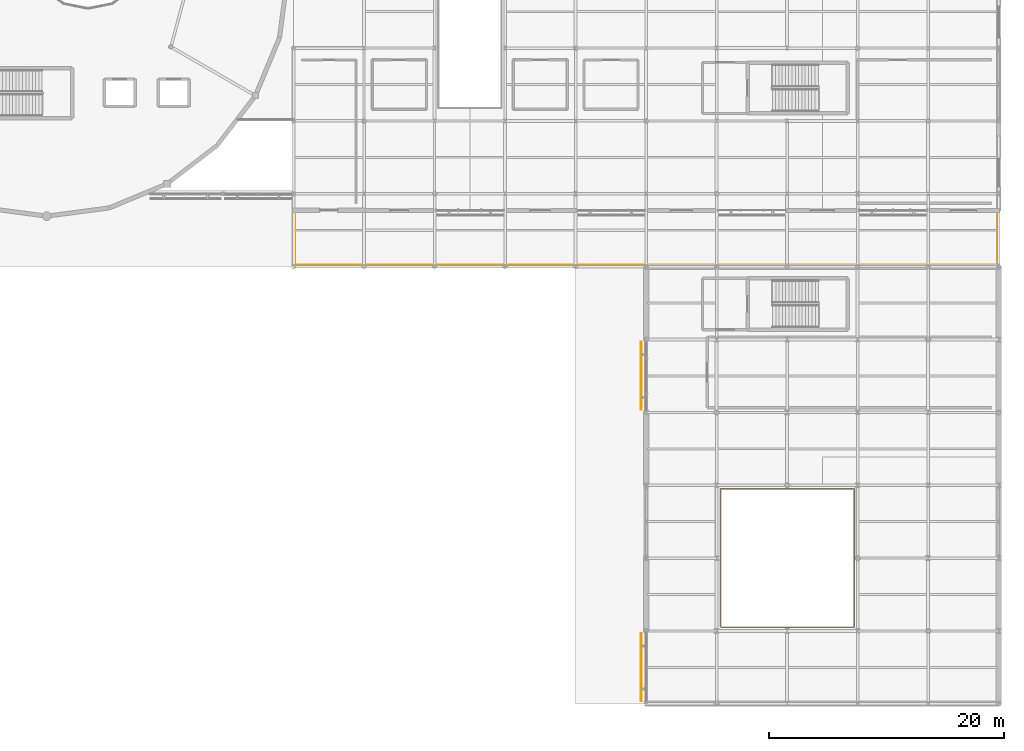
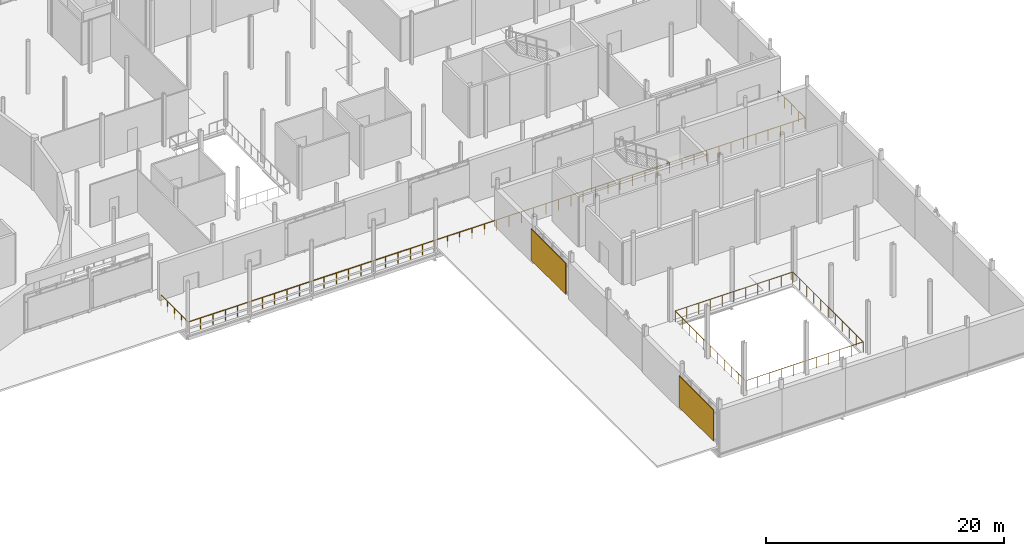
# One storey, part 101 of 105: 2 railings, 2 shading devices.
"""IFC4 building model written with IfcOpenShell, lengths in metres."""

from ifc_helpers import new_model, si_unit, direction, frame, origin, origin_2d, place, context, subcontext, project, spatial, rectangle, circle, extrude, material, layer, layer_set, type_object, element, save


model = new_model("IFC4")

# Units and contexts
model_context = context("Model", 3, precision=1e-05, world=origin(), true_north=direction((0.0, 1.0)))
body_context = subcontext(model_context, "Body", "Model", "MODEL_VIEW")
ifc_project = project(units=[si_unit("LENGTHUNIT", "METRE"), si_unit("AREAUNIT", "SQUARE_METRE"), si_unit("VOLUMEUNIT", "CUBIC_METRE"), si_unit("PLANEANGLEUNIT", "RADIAN"), si_unit("MASSUNIT", "GRAM", prefix="KILO")], contexts=[model_context])

# Site, building, storey
site_placement = place(None, origin())
site = spatial("IfcSite", under=ifc_project, at=site_placement, CompositionType="ELEMENT")
building_placement = place(site_placement, origin())
building = spatial("IfcBuilding", under=site, at=building_placement, Name="Mirzam Square Science Centre", CompositionType="ELEMENT")
storey_placement = place(building_placement, frame((0.0, 0.0, 5.39990234375)))
storey = spatial("IfcBuildingStorey", under=building, at=storey_placement, Name="L01", CompositionType="ELEMENT", Elevation=5.39990234375)

# Railings
ifc_material_1 = material(Name="Bronze-Anodised Architectural Balustrade", Category="aluminium")
railing_type_1 = type_object("IfcRailingType", Name="RL-INT-GUARD-1100", PredefinedType="GUARDRAIL", material=ifc_material_1)
railing_1_placement = place(storey_placement, frame((138.300048828125, 6.580078125, 0.0)))
element("IfcRailing", 1, at=railing_1_placement, inside=storey, type_object=railing_type_1, Name="L01 theatre-void edge guard", PredefinedType="GUARDRAIL", context=body_context, shape_type="SweptSolid", body=[
    extrude(circle(Radius=0.02392578125, at=origin_2d()), frame((0.0, 0.0, 1.09619140625), z_axis=(0.0, 1.0, 0.0), x_axis=(-1.0, 0.0, 0.0)), (0.0, 0.0, 1.0), 11.719970703125),
    extrude(circle(Radius=0.02392578125, at=origin_2d()), frame((0.0, 11.719970703125, 1.09619140625), z_axis=(1.0, 0.0, 0.0), x_axis=(0.0, 1.0, 0.0)), (0.0, 0.0, 1.0), 11.39990234375),
    extrude(circle(Radius=0.02392578125, at=origin_2d()), frame((11.39990234375, 11.719970703125, 1.09619140625), z_axis=(0.0, -1.0, 0.0), x_axis=(1.0, 0.0, 0.0)), (0.0, 0.0, 1.0), 11.800048828125),
    extrude(circle(Radius=0.02392578125, at=origin_2d()), frame((11.39990234375, -0.080078125, 1.09619140625), z_axis=(-1.0, 0.0, 0.0), x_axis=(0.0, -1.0, 0.0)), (0.0, 0.0, 1.0), 11.320068359375),
    extrude(circle(Radius=0.02099609375, at=origin_2d()), origin(), (0.0, 0.0, 1.0), 1.072021484375),
    extrude(circle(Radius=0.02099609375, at=origin_2d()), frame((0.0, 1.171875, 0.0)), (0.0, 0.0, 1.0), 1.072021484375),
    extrude(circle(Radius=0.02099609375, at=origin_2d()), frame((0.0, 2.343994140625, 0.0)), (0.0, 0.0, 1.0), 1.072021484375),
    extrude(circle(Radius=0.02099609375, at=origin_2d()), frame((0.0, 3.51611328125, 0.0)), (0.0, 0.0, 1.0), 1.072021484375),
    extrude(circle(Radius=0.02099609375, at=origin_2d()), frame((0.0, 4.68798828125, 0.0)), (0.0, 0.0, 1.0), 1.072021484375),
    extrude(circle(Radius=0.02099609375, at=origin_2d()), frame((0.0, 5.85986328125, 0.0)), (0.0, 0.0, 1.0), 1.072021484375),
    extrude(circle(Radius=0.02099609375, at=origin_2d()), frame((0.0, 7.031982421875, 0.0)), (0.0, 0.0, 1.0), 1.072021484375),
    extrude(circle(Radius=0.02099609375, at=origin_2d()), frame((0.0, 8.2041015625, 0.0)), (0.0, 0.0, 1.0), 1.072021484375),
    extrude(circle(Radius=0.02099609375, at=origin_2d()), frame((0.0, 9.3759765625, 0.0)), (0.0, 0.0, 1.0), 1.072021484375),
    extrude(circle(Radius=0.02099609375, at=origin_2d()), frame((0.0, 10.5478515625, 0.0)), (0.0, 0.0, 1.0), 1.072021484375),
    extrude(circle(Radius=0.02099609375, at=origin_2d()), frame((0.0, 11.719970703125, 0.0)), (0.0, 0.0, 1.0), 1.072021484375),
    extrude(circle(Radius=0.02099609375, at=origin_2d()), frame((1.139892578125, 11.719970703125, 0.0)), (0.0, 0.0, 1.0), 1.072021484375),
    extrude(circle(Radius=0.02099609375, at=origin_2d()), frame((2.280029296875, 11.719970703125, 0.0)), (0.0, 0.0, 1.0), 1.072021484375),
    extrude(circle(Radius=0.02099609375, at=origin_2d()), frame((3.419921875, 11.719970703125, 0.0)), (0.0, 0.0, 1.0), 1.072021484375),
    extrude(circle(Radius=0.02099609375, at=origin_2d()), frame((4.56005859375, 11.719970703125, 0.0)), (0.0, 0.0, 1.0), 1.072021484375),
    extrude(circle(Radius=0.02099609375, at=origin_2d()), frame((5.699951171875, 11.719970703125, 0.0)), (0.0, 0.0, 1.0), 1.072021484375),
    extrude(circle(Radius=0.02099609375, at=origin_2d()), frame((6.83984375, 11.719970703125, 0.0)), (0.0, 0.0, 1.0), 1.072021484375),
    extrude(circle(Radius=0.02099609375, at=origin_2d()), frame((7.97998046875, 11.719970703125, 0.0)), (0.0, 0.0, 1.0), 1.072021484375),
    extrude(circle(Radius=0.02099609375, at=origin_2d()), frame((9.119873046875, 11.719970703125, 0.0)), (0.0, 0.0, 1.0), 1.072021484375),
    extrude(circle(Radius=0.02099609375, at=origin_2d()), frame((10.260009765625, 11.719970703125, 0.0)), (0.0, 0.0, 1.0), 1.072021484375),
    extrude(circle(Radius=0.02099609375, at=origin_2d()), frame((11.39990234375, 11.719970703125, 0.0)), (0.0, 0.0, 1.0), 1.072021484375),
    extrude(circle(Radius=0.02099609375, at=origin_2d()), frame((11.39990234375, 10.5400390625, 0.0)), (0.0, 0.0, 1.0), 1.072021484375),
    extrude(circle(Radius=0.02099609375, at=origin_2d()), frame((11.39990234375, 9.35986328125, 0.0)), (0.0, 0.0, 1.0), 1.072021484375),
    extrude(circle(Radius=0.02099609375, at=origin_2d()), frame((11.39990234375, 8.179931640625, 0.0)), (0.0, 0.0, 1.0), 1.072021484375),
    extrude(circle(Radius=0.02099609375, at=origin_2d()), frame((11.39990234375, 7.0, 0.0)), (0.0, 0.0, 1.0), 1.072021484375),
    extrude(circle(Radius=0.02099609375, at=origin_2d()), frame((11.39990234375, 5.81982421875, 0.0)), (0.0, 0.0, 1.0), 1.072021484375),
    extrude(circle(Radius=0.02099609375, at=origin_2d()), frame((11.39990234375, 4.639892578125, 0.0)), (0.0, 0.0, 1.0), 1.072021484375),
    extrude(circle(Radius=0.02099609375, at=origin_2d()), frame((11.39990234375, 3.4599609375, 0.0)), (0.0, 0.0, 1.0), 1.072021484375),
    extrude(circle(Radius=0.02099609375, at=origin_2d()), frame((11.39990234375, 2.280029296875, 0.0)), (0.0, 0.0, 1.0), 1.072021484375),
    extrude(circle(Radius=0.02099609375, at=origin_2d()), frame((11.39990234375, 1.099853515625, 0.0)), (0.0, 0.0, 1.0), 1.072021484375),
    extrude(circle(Radius=0.02099609375, at=origin_2d()), frame((11.39990234375, -0.080078125, 0.0)), (0.0, 0.0, 1.0), 1.072021484375),
    extrude(circle(Radius=0.02099609375, at=origin_2d()), frame((10.267822265625, -0.080078125, 0.0)), (0.0, 0.0, 1.0), 1.072021484375),
    extrude(circle(Radius=0.02099609375, at=origin_2d()), frame((9.135986328125, -0.080078125, 0.0)), (0.0, 0.0, 1.0), 1.072021484375),
    extrude(circle(Radius=0.02099609375, at=origin_2d()), frame((8.00390625, -0.080078125, 0.0)), (0.0, 0.0, 1.0), 1.072021484375),
    extrude(circle(Radius=0.02099609375, at=origin_2d()), frame((6.871826171875, -0.080078125, 0.0)), (0.0, 0.0, 1.0), 1.072021484375),
    extrude(circle(Radius=0.02099609375, at=origin_2d()), frame((5.73974609375, -0.080078125, 0.0)), (0.0, 0.0, 1.0), 1.072021484375),
    extrude(circle(Radius=0.02099609375, at=origin_2d()), frame((4.60791015625, -0.080078125, 0.0)), (0.0, 0.0, 1.0), 1.072021484375),
    extrude(circle(Radius=0.02099609375, at=origin_2d()), frame((3.475830078125, -0.080078125, 0.0)), (0.0, 0.0, 1.0), 1.072021484375),
    extrude(circle(Radius=0.02099609375, at=origin_2d()), frame((2.34375, -0.080078125, 0.0)), (0.0, 0.0, 1.0), 1.072021484375),
    extrude(circle(Radius=0.02099609375, at=origin_2d()), frame((1.2119140625, -0.080078125, 0.0)), (0.0, 0.0, 1.0), 1.072021484375),
    extrude(circle(Radius=0.02099609375, at=origin_2d()), frame((0.079833984375, -0.080078125, 0.0)), (0.0, 0.0, 1.0), 1.072021484375),
])
railing_type_2 = type_object("IfcRailingType", Name="RL-TERR-GUARD-1100", PredefinedType="GUARDRAIL", material=ifc_material_1)
railing_2_placement = place(storey_placement, frame((102.1201171875, 41.919921875, 0.0)))
element("IfcRailing", 2, at=railing_2_placement, inside=storey, type_object=railing_type_2, Name="L01 south garden terrace guard", PredefinedType="GUARDRAIL", context=body_context, shape_type="SweptSolid", body=[
    extrude(circle(Radius=0.02392578125, at=origin_2d()), frame((0.0, 0.0, 1.09619140625), z_axis=(0.0, -1.0, 0.0), x_axis=(1.0, 0.0, 0.0)), (0.0, 0.0, 1.0), 4.599853515625),
    extrude(circle(Radius=0.02392578125, at=origin_2d()), frame((0.0, -4.599853515625, 1.09619140625), z_axis=(1.0, 0.0, 0.0), x_axis=(0.0, 1.0, 0.0)), (0.0, 0.0, 1.0), 59.759765625),
    extrude(circle(Radius=0.02392578125, at=origin_2d()), frame((59.759765625, -4.599853515625, 1.09619140625), z_axis=(0.0, 1.0, 0.0), x_axis=(-1.0, 0.0, 0.0)), (0.0, 0.0, 1.0), 4.599853515625),
    extrude(circle(Radius=0.02099609375, at=origin_2d()), origin(), (0.0, 0.0, 1.0), 1.072021484375),
    extrude(circle(Radius=0.02099609375, at=origin_2d()), frame((0.0, -1.14990234375, 0.0)), (0.0, 0.0, 1.0), 1.072021484375),
    extrude(circle(Radius=0.02099609375, at=origin_2d()), frame((0.0, -2.2998046875, 0.0)), (0.0, 0.0, 1.0), 1.072021484375),
    extrude(circle(Radius=0.02099609375, at=origin_2d()), frame((0.0, -3.449951171875, 0.0)), (0.0, 0.0, 1.0), 1.072021484375),
    extrude(circle(Radius=0.02099609375, at=origin_2d()), frame((0.0, -4.599853515625, 0.0)), (0.0, 0.0, 1.0), 1.072021484375),
    extrude(circle(Radius=0.02099609375, at=origin_2d()), frame((1.1953125, -4.599853515625, 0.0)), (0.0, 0.0, 1.0), 1.072021484375),
    extrude(circle(Radius=0.02099609375, at=origin_2d()), frame((2.390380859375, -4.599853515625, 0.0)), (0.0, 0.0, 1.0), 1.072021484375),
    extrude(circle(Radius=0.02099609375, at=origin_2d()), frame((3.585693359375, -4.599853515625, 0.0)), (0.0, 0.0, 1.0), 1.072021484375),
    extrude(circle(Radius=0.02099609375, at=origin_2d()), frame((4.78076171875, -4.599853515625, 0.0)), (0.0, 0.0, 1.0), 1.072021484375),
    extrude(circle(Radius=0.02099609375, at=origin_2d()), frame((5.97607421875, -4.599853515625, 0.0)), (0.0, 0.0, 1.0), 1.072021484375),
    extrude(circle(Radius=0.02099609375, at=origin_2d()), frame((7.171142578125, -4.599853515625, 0.0)), (0.0, 0.0, 1.0), 1.072021484375),
    extrude(circle(Radius=0.02099609375, at=origin_2d()), frame((8.366455078125, -4.599853515625, 0.0)), (0.0, 0.0, 1.0), 1.072021484375),
    extrude(circle(Radius=0.02099609375, at=origin_2d()), frame((9.5615234375, -4.599853515625, 0.0)), (0.0, 0.0, 1.0), 1.072021484375),
    extrude(circle(Radius=0.02099609375, at=origin_2d()), frame((10.7568359375, -4.599853515625, 0.0)), (0.0, 0.0, 1.0), 1.072021484375),
    extrude(circle(Radius=0.02099609375, at=origin_2d()), frame((11.951904296875, -4.599853515625, 0.0)), (0.0, 0.0, 1.0), 1.072021484375),
    extrude(circle(Radius=0.02099609375, at=origin_2d()), frame((13.147216796875, -4.599853515625, 0.0)), (0.0, 0.0, 1.0), 1.072021484375),
    extrude(circle(Radius=0.02099609375, at=origin_2d()), frame((14.34228515625, -4.599853515625, 0.0)), (0.0, 0.0, 1.0), 1.072021484375),
    extrude(circle(Radius=0.02099609375, at=origin_2d()), frame((15.53759765625, -4.599853515625, 0.0)), (0.0, 0.0, 1.0), 1.072021484375),
    extrude(circle(Radius=0.02099609375, at=origin_2d()), frame((16.732666015625, -4.599853515625, 0.0)), (0.0, 0.0, 1.0), 1.072021484375),
    extrude(circle(Radius=0.02099609375, at=origin_2d()), frame((17.927978515625, -4.599853515625, 0.0)), (0.0, 0.0, 1.0), 1.072021484375),
    extrude(circle(Radius=0.02099609375, at=origin_2d()), frame((19.123046875, -4.599853515625, 0.0)), (0.0, 0.0, 1.0), 1.072021484375),
    extrude(circle(Radius=0.02099609375, at=origin_2d()), frame((20.318359375, -4.599853515625, 0.0)), (0.0, 0.0, 1.0), 1.072021484375),
    extrude(circle(Radius=0.02099609375, at=origin_2d()), frame((21.513427734375, -4.599853515625, 0.0)), (0.0, 0.0, 1.0), 1.072021484375),
    extrude(circle(Radius=0.02099609375, at=origin_2d()), frame((22.708740234375, -4.599853515625, 0.0)), (0.0, 0.0, 1.0), 1.072021484375),
    extrude(circle(Radius=0.02099609375, at=origin_2d()), frame((23.90380859375, -4.599853515625, 0.0)), (0.0, 0.0, 1.0), 1.072021484375),
    extrude(circle(Radius=0.02099609375, at=origin_2d()), frame((25.09912109375, -4.599853515625, 0.0)), (0.0, 0.0, 1.0), 1.072021484375),
    extrude(circle(Radius=0.02099609375, at=origin_2d()), frame((26.294189453125, -4.599853515625, 0.0)), (0.0, 0.0, 1.0), 1.072021484375),
    extrude(circle(Radius=0.02099609375, at=origin_2d()), frame((27.489501953125, -4.599853515625, 0.0)), (0.0, 0.0, 1.0), 1.072021484375),
    extrude(circle(Radius=0.02099609375, at=origin_2d()), frame((28.6845703125, -4.599853515625, 0.0)), (0.0, 0.0, 1.0), 1.072021484375),
    extrude(circle(Radius=0.02099609375, at=origin_2d()), frame((29.8798828125, -4.599853515625, 0.0)), (0.0, 0.0, 1.0), 1.072021484375),
    extrude(circle(Radius=0.02099609375, at=origin_2d()), frame((31.0751953125, -4.599853515625, 0.0)), (0.0, 0.0, 1.0), 1.072021484375),
    extrude(circle(Radius=0.02099609375, at=origin_2d()), frame((32.270263671875, -4.599853515625, 0.0)), (0.0, 0.0, 1.0), 1.072021484375),
    extrude(circle(Radius=0.02099609375, at=origin_2d()), frame((33.465576171875, -4.599853515625, 0.0)), (0.0, 0.0, 1.0), 1.072021484375),
    extrude(circle(Radius=0.02099609375, at=origin_2d()), frame((34.66064453125, -4.599853515625, 0.0)), (0.0, 0.0, 1.0), 1.072021484375),
    extrude(circle(Radius=0.02099609375, at=origin_2d()), frame((35.85595703125, -4.599853515625, 0.0)), (0.0, 0.0, 1.0), 1.072021484375),
    extrude(circle(Radius=0.02099609375, at=origin_2d()), frame((37.051025390625, -4.599853515625, 0.0)), (0.0, 0.0, 1.0), 1.072021484375),
    extrude(circle(Radius=0.02099609375, at=origin_2d()), frame((38.246337890625, -4.599853515625, 0.0)), (0.0, 0.0, 1.0), 1.072021484375),
    extrude(circle(Radius=0.02099609375, at=origin_2d()), frame((39.44140625, -4.599853515625, 0.0)), (0.0, 0.0, 1.0), 1.072021484375),
    extrude(circle(Radius=0.02099609375, at=origin_2d()), frame((40.63671875, -4.599853515625, 0.0)), (0.0, 0.0, 1.0), 1.072021484375),
    extrude(circle(Radius=0.02099609375, at=origin_2d()), frame((41.831787109375, -4.599853515625, 0.0)), (0.0, 0.0, 1.0), 1.072021484375),
    extrude(circle(Radius=0.02099609375, at=origin_2d()), frame((43.027099609375, -4.599853515625, 0.0)), (0.0, 0.0, 1.0), 1.072021484375),
    extrude(circle(Radius=0.02099609375, at=origin_2d()), frame((44.22216796875, -4.599853515625, 0.0)), (0.0, 0.0, 1.0), 1.072021484375),
    extrude(circle(Radius=0.02099609375, at=origin_2d()), frame((45.41748046875, -4.599853515625, 0.0)), (0.0, 0.0, 1.0), 1.072021484375),
    extrude(circle(Radius=0.02099609375, at=origin_2d()), frame((46.612548828125, -4.599853515625, 0.0)), (0.0, 0.0, 1.0), 1.072021484375),
    extrude(circle(Radius=0.02099609375, at=origin_2d()), frame((47.807861328125, -4.599853515625, 0.0)), (0.0, 0.0, 1.0), 1.072021484375),
    extrude(circle(Radius=0.02099609375, at=origin_2d()), frame((49.0029296875, -4.599853515625, 0.0)), (0.0, 0.0, 1.0), 1.072021484375),
    extrude(circle(Radius=0.02099609375, at=origin_2d()), frame((50.1982421875, -4.599853515625, 0.0)), (0.0, 0.0, 1.0), 1.072021484375),
    extrude(circle(Radius=0.02099609375, at=origin_2d()), frame((51.393310546875, -4.599853515625, 0.0)), (0.0, 0.0, 1.0), 1.072021484375),
    extrude(circle(Radius=0.02099609375, at=origin_2d()), frame((52.588623046875, -4.599853515625, 0.0)), (0.0, 0.0, 1.0), 1.072021484375),
    extrude(circle(Radius=0.02099609375, at=origin_2d()), frame((53.78369140625, -4.599853515625, 0.0)), (0.0, 0.0, 1.0), 1.072021484375),
    extrude(circle(Radius=0.02099609375, at=origin_2d()), frame((54.97900390625, -4.599853515625, 0.0)), (0.0, 0.0, 1.0), 1.072021484375),
    extrude(circle(Radius=0.02099609375, at=origin_2d()), frame((56.174072265625, -4.599853515625, 0.0)), (0.0, 0.0, 1.0), 1.072021484375),
    extrude(circle(Radius=0.02099609375, at=origin_2d()), frame((57.369384765625, -4.599853515625, 0.0)), (0.0, 0.0, 1.0), 1.072021484375),
    extrude(circle(Radius=0.02099609375, at=origin_2d()), frame((58.564453125, -4.599853515625, 0.0)), (0.0, 0.0, 1.0), 1.072021484375),
    extrude(circle(Radius=0.02099609375, at=origin_2d()), frame((59.759765625, -4.599853515625, 0.0)), (0.0, 0.0, 1.0), 1.072021484375),
    extrude(circle(Radius=0.02099609375, at=origin_2d()), frame((59.759765625, -3.449951171875, 0.0)), (0.0, 0.0, 1.0), 1.072021484375),
    extrude(circle(Radius=0.02099609375, at=origin_2d()), frame((59.759765625, -2.2998046875, 0.0)), (0.0, 0.0, 1.0), 1.072021484375),
    extrude(circle(Radius=0.02099609375, at=origin_2d()), frame((59.759765625, -1.14990234375, 0.0)), (0.0, 0.0, 1.0), 1.072021484375),
    extrude(circle(Radius=0.02099609375, at=origin_2d()), frame((59.759765625, 0.0, 0.0)), (0.0, 0.0, 1.0), 1.072021484375),
])

# Shading devices
ifc_material_2 = material(Name="Perforated Bronze-Anodised Aluminium Brise-Soleil", Category="aluminium")
ifc_layer = layer(ifc_material_2, 0.080078125)
ifc_layer_set = layer_set([ifc_layer], Name="SHD-BRISE-BRONZE")
shading_device_type = type_object("IfcShadingDeviceType", Name="SHD-BRISE-BRONZE", PredefinedType="JALOUSIE", material=ifc_layer_set)
for number, where, z_axis, x_axis, name in (
    (3, (131.590087890625, 3.10009765625, 1.09033203125), (0.0, 0.0, 1.0), (0.0, -1.0, 0.0), "L01 bronze brise-soleil screen 50"),
    (4, (131.590087890625, 27.89990234375, 1.09033203125), (0.0, 0.0, 1.0), (0.0, -1.0, 0.0), "L01 bronze brise-soleil screen 51"),
):
    element("IfcShadingDevice", number, at=place(storey_placement, frame(where, z_axis=z_axis, x_axis=x_axis)), inside=storey, type_object=shading_device_type, Name=name, PredefinedType="JALOUSIE", context=body_context, shape_type="SweptSolid", body=[
        extrude(rectangle(XDim=5.7900390625, YDim=0.080078125, at=origin_2d()), origin(), (0.0, 0.0, 1.0), 3.199951171875),
    ])

save(model, "model.ifc")
